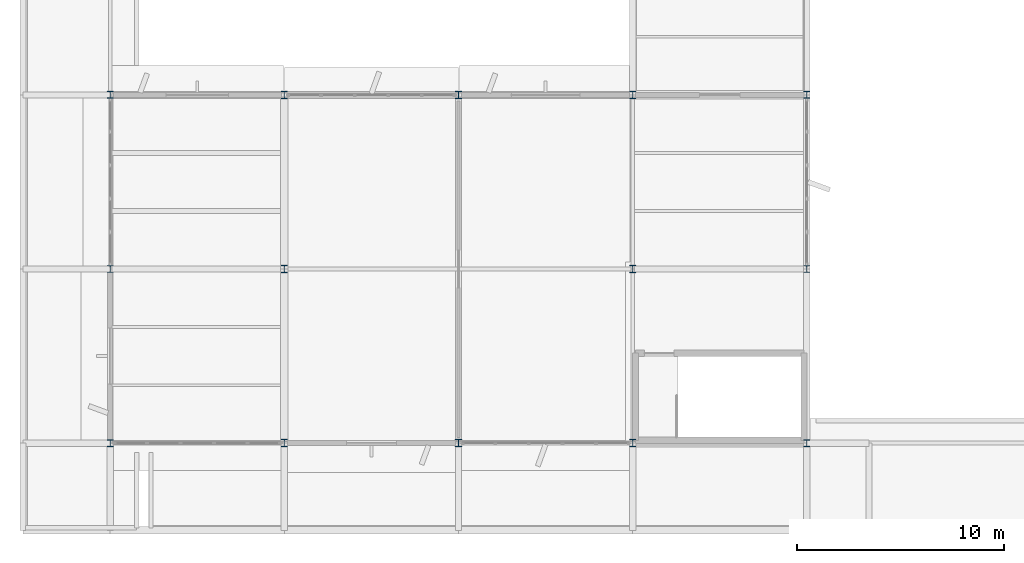
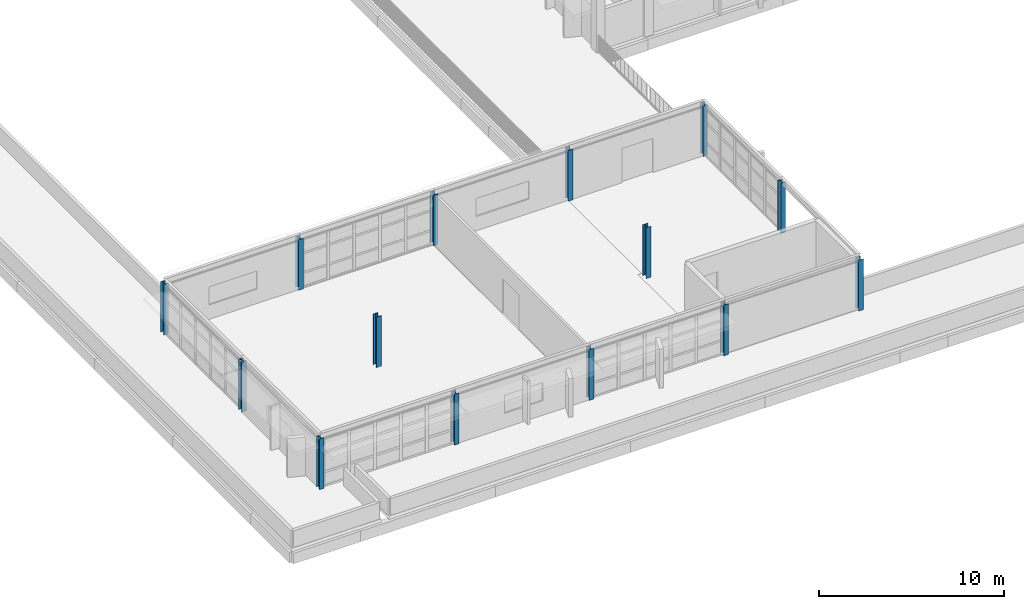
# One storey, part 1 of 92: 14 columns.
"""IFC4 building model written with IfcOpenShell, lengths in metres."""

from ifc_helpers import new_model, si_unit, direction, frame, origin, origin_2d, place, context, subcontext, project, spatial, i_section, extrude, material, material_profile, profile_set, type_object, element, save


model = new_model("IFC4")

# Units and contexts
model_context = context("Model", 3, precision=1e-05, world=origin(), true_north=direction((0.0, 1.0)))
body_context = subcontext(model_context, "Body", "Model", "MODEL_VIEW")
ifc_project = project(units=[si_unit("LENGTHUNIT", "METRE"), si_unit("AREAUNIT", "SQUARE_METRE"), si_unit("VOLUMEUNIT", "CUBIC_METRE"), si_unit("PLANEANGLEUNIT", "RADIAN"), si_unit("MASSUNIT", "GRAM", prefix="KILO")], contexts=[model_context])

# Site, building, storey
site_placement = place(None, origin())
site = spatial("IfcSite", under=ifc_project, at=site_placement, CompositionType="ELEMENT")
building_placement = place(site_placement, origin())
building = spatial("IfcBuilding", under=site, at=building_placement, Name="Vanh Quang Courtyard School", CompositionType="ELEMENT")
storey_placement = place(building_placement, frame((0.0, 0.0, 7.800048828125)))
storey = spatial("IfcBuildingStorey", under=building, at=storey_placement, Name="L02", CompositionType="ELEMENT", Elevation=7.800048828125)

# Columns
ifc_material = material(Name="Structural steel EN 10025-2 S355J2", Category="steel")
ifc_material_profile_1 = material_profile(ifc_material, i_section(OverallWidth=0.300048828125, OverallDepth=0.330078125, WebThickness=0.009521484375, FlangeThickness=0.0166015625, FilletRadius=0.027099609375, at=origin_2d()), Name="HEA 340")
ifc_profile_set_1 = profile_set([ifc_material_profile_1], Name="Structural steel EN 10025-2 S355J2")
column_type_1 = type_object("IfcColumnType", Name="COL-STL-HEA340", PredefinedType="COLUMN", material=ifc_profile_set_1)
for number, where, z_axis, x_axis, name in (
    (1, (4.199951171875, 4.199951171875, 0.0), (0.0, 0.0, 1.0), (1.0, 0.0, 0.0), "Column CS-04 (L02)"),
    (2, (4.199951171875, 12.60009765625, 0.0), (0.0, 0.0, 1.0), (1.0, 0.0, 0.0), "Column CS-04 (L02)"),
    (3, (4.199951171875, 21.0, 0.0), (0.0, 0.0, 1.0), (1.0, 0.0, 0.0), "Column CS-04 (L02)"),
    (4, (37.800048828125, 4.199951171875, 0.0), (0.0, 0.0, 1.0), (1.0, 0.0, 0.0), "Column CS-04 (L02)"),
    (5, (37.800048828125, 12.60009765625, 0.0), (0.0, 0.0, 1.0), (1.0, 0.0, 0.0), "Column CS-04 (L02)"),
    (6, (37.800048828125, 21.0, 0.0), (0.0, 0.0, 1.0), (1.0, 0.0, 0.0), "Column CS-04 (L02)"),
):
    element("IfcColumn", number, at=place(storey_placement, frame(where, z_axis=z_axis, x_axis=x_axis)), inside=storey, type_object=column_type_1, Name=name, PredefinedType="COLUMN", context=body_context, shape_type="SweptSolid", body=[
        extrude(i_section(OverallWidth=0.300048828125, OverallDepth=0.330078125, WebThickness=0.009521484375, FlangeThickness=0.0166015625, FilletRadius=0.027099609375, at=origin_2d()), origin(), (0.0, 0.0, 1.0), 3.33984375),
    ])
ifc_material_profile_2 = material_profile(ifc_material, i_section(OverallWidth=0.300048828125, OverallDepth=0.360107421875, WebThickness=0.012451171875, FlangeThickness=0.0224609375, FilletRadius=0.027099609375, at=origin_2d()), Name="HEB 360")
ifc_profile_set_2 = profile_set([ifc_material_profile_2], Name="Structural steel EN 10025-2 S355J2")
column_type_2 = type_object("IfcColumnType", Name="COL-STL-HEB360", PredefinedType="COLUMN", material=ifc_profile_set_2)
for number, where, z_axis, x_axis, name in (
    (7, (12.60009765625, 4.199951171875, 0.0), (0.0, 0.0, 1.0), (1.0, 0.0, 0.0), "Column CS-03 (L02)"),
    (8, (12.60009765625, 12.60009765625, 0.0), (0.0, 0.0, 1.0), (1.0, 0.0, 0.0), "Column CS-03 (L02)"),
    (9, (12.60009765625, 21.0, 0.0), (0.0, 0.0, 1.0), (1.0, 0.0, 0.0), "Column CS-03 (L02)"),
    (10, (21.0, 4.199951171875, 0.0), (0.0, 0.0, 1.0), (1.0, 0.0, 0.0), "Column CS-03 (L02)"),
    (11, (21.0, 21.0, 0.0), (0.0, 0.0, 1.0), (1.0, 0.0, 0.0), "Column CS-03 (L02)"),
    (12, (29.39990234375, 4.199951171875, 0.0), (0.0, 0.0, 1.0), (1.0, 0.0, 0.0), "Column CS-03 (L02)"),
    (13, (29.39990234375, 12.60009765625, 0.0), (0.0, 0.0, 1.0), (1.0, 0.0, 0.0), "Column CS-03 (L02)"),
    (14, (29.39990234375, 21.0, 0.0), (0.0, 0.0, 1.0), (1.0, 0.0, 0.0), "Column CS-03 (L02)"),
):
    element("IfcColumn", number, at=place(storey_placement, frame(where, z_axis=z_axis, x_axis=x_axis)), inside=storey, type_object=column_type_2, Name=name, PredefinedType="COLUMN", context=body_context, shape_type="SweptSolid", body=[
        extrude(i_section(OverallWidth=0.300048828125, OverallDepth=0.360107421875, WebThickness=0.012451171875, FlangeThickness=0.0224609375, FilletRadius=0.027099609375, at=origin_2d()), origin(), (0.0, 0.0, 1.0), 3.33984375),
    ])

save(model, "model.ifc")
